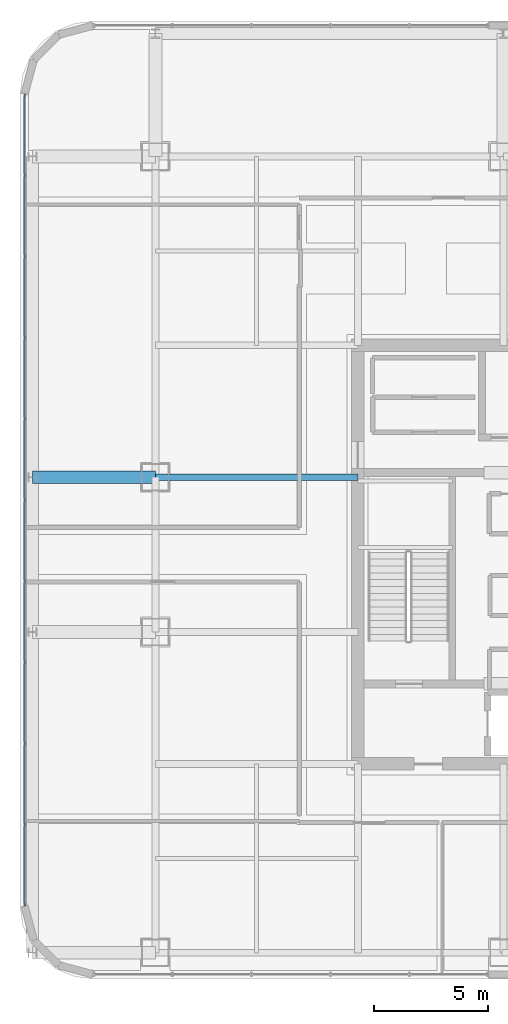
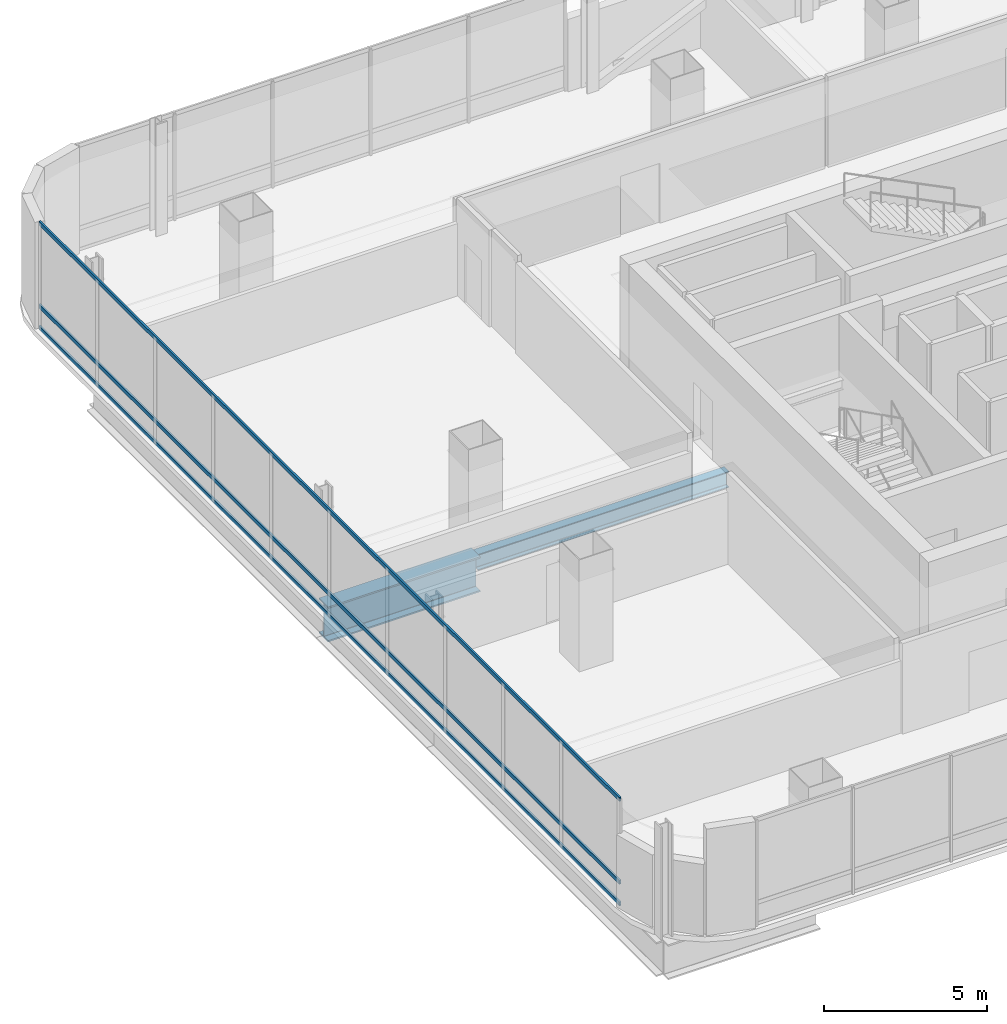
# One storey, part 11 of 43: 3 members, 2 beams, 1 element without a shape of its own.
"""IFC4 building model written with IfcOpenShell, lengths in metres."""

from ifc_helpers import new_model, si_unit, direction, frame, origin, origin_2d, place, context, subcontext, project, spatial, hollow_rectangle, i_section, extrude, material, material_profile, profile_set, type_object, element, aggregate, save


model = new_model("IFC4")

# Units and contexts
model_context = context("Model", 3, precision=1e-05, world=origin(), true_north=direction((0.0, 1.0)))
body_context = subcontext(model_context, "Body", "Model", "MODEL_VIEW")
ifc_project = project(units=[si_unit("LENGTHUNIT", "METRE"), si_unit("AREAUNIT", "SQUARE_METRE"), si_unit("VOLUMEUNIT", "CUBIC_METRE"), si_unit("PLANEANGLEUNIT", "RADIAN"), si_unit("MASSUNIT", "GRAM", prefix="KILO")], contexts=[model_context])

# Site, building, storey
site_placement = place(None, origin())
site = spatial("IfcSite", under=ifc_project, at=site_placement, CompositionType="ELEMENT")
building_placement = place(site_placement, origin())
building = spatial("IfcBuilding", under=site, at=building_placement, Name="Punatoya Terracotta Tower", CompositionType="ELEMENT")
storey_placement = place(building_placement, frame((0.0, 0.0, 300.60009765625)))
storey = spatial("IfcBuildingStorey", under=building, at=storey_placement, Name="L71", CompositionType="ELEMENT", Elevation=300.60009765625)

# Beams
ifc_material_1 = material(Name="Steel S355", Category="steel")
ifc_material_profile_1 = material_profile(ifc_material_1, i_section(OverallWidth=0.300048828125, OverallDepth=0.60009765625, WebThickness=0.015380859375, FlangeThickness=0.030029296875, FilletRadius=0.01806640625, at=origin_2d()))
ifc_profile_set_1 = profile_set([ifc_material_profile_1], Name="Steel S355")
beam_type_1 = type_object("IfcBeamType", Name="BM-PRI-600", PredefinedType="BEAM", material=ifc_profile_set_1)
beam_1_placement = place(storey_placement, frame((-19.10009765625, 3.39990234375, -0.5), z_axis=(1.0, 0.0, 0.0), x_axis=(0.0, 1.0, 0.0)))
element("IfcBeam", 1, at=beam_1_placement, inside=storey, type_object=beam_type_1, Name="BM-L71-PR-WE", PredefinedType="BEAM", context=body_context, shape_type="SweptSolid", body=[
    extrude(i_section(OverallWidth=0.300048828125, OverallDepth=0.60009765625, WebThickness=0.015380859375, FlangeThickness=0.030029296875, FilletRadius=0.01806640625, at=origin_2d()), origin(), (0.0, 0.0, 1.0), 8.900146484375),
])
ifc_material_2 = material(Name="Steel S460", Category="steel")
ifc_material_profile_2 = material_profile(ifc_material_2, i_section(OverallWidth=0.56005859375, OverallDepth=1.320068359375, WebThickness=0.035888671875, FlangeThickness=0.054931640625, FilletRadius=0.01806640625, at=origin_2d()))
ifc_profile_set_2 = profile_set([ifc_material_profile_2], Name="Steel S460")
beam_type_2 = type_object("IfcBeamType", Name="BM-TG-BLK", PredefinedType="BEAM", material=ifc_profile_set_2)
beam_2_placement = place(storey_placement, frame((-24.5, 3.39990234375, -0.860107421875), z_axis=(1.0, 0.0, 0.0), x_axis=(0.0, 1.0, 0.0)))
element("IfcBeam", 2, at=beam_2_placement, inside=storey, type_object=beam_type_2, Name="BM-L71-CANT-W3", PredefinedType="BEAM", context=body_context, shape_type="SweptSolid", body=[
    extrude(i_section(OverallWidth=0.56005859375, OverallDepth=1.320068359375, WebThickness=0.035888671875, FlangeThickness=0.054931640625, FilletRadius=0.01806640625, at=origin_2d()), origin(), (0.0, 0.0, 1.0), 5.39990234375),
])

# Curtain wall, members
ifc_material_3 = material(Name="Aluminium 6063-T6 + Double Low-E Glass", Category="aluminium")
curtain_wall_type = type_object("IfcCurtainWallType", Name="CW-M3", PredefinedType="NOTDEFINED", material=ifc_material_3)
curtain_wall_placement = place(storey_placement, origin())
curtain_wall = element("IfcCurtainWall", 3, at=curtain_wall_placement, inside=storey, type_object=curtain_wall_type, Name="L71 Curtain Wall CW-L71-W13-1", PredefinedType="NOTDEFINED")
ifc_material_4 = material(Name="Aluminium 6063-T6", Category="aluminium")
ifc_material_profile_3 = material_profile(ifc_material_4, hollow_rectangle(XDim=0.068115234375, YDim=0.14990234375, WallThickness=0.00390625, at=origin_2d()))
ifc_profile_set_3 = profile_set([ifc_material_profile_3], Name="Aluminium 6063-T6")
member_type = type_object("IfcMemberType", Name="CW-TRN-TYP", PredefinedType="USERDEFINED", material=ifc_profile_set_3)
member_1_placement = place(storey_placement, frame((-24.85009765625, 20.23681640625, 0.039794921875), z_axis=(0.0, -1.0, 0.0), x_axis=(1.0, 0.0, 0.0)))
member_1 = element("IfcMember", 4, at=member_1_placement, type_object=member_type, Name="CW-L71-W13-1 Transom 1", ObjectType="TRANSOM", PredefinedType="USERDEFINED", context=body_context, shape_type="SweptSolid", body=[
    extrude(hollow_rectangle(XDim=0.068115234375, YDim=0.14990234375, WallThickness=0.00390625, at=origin_2d()), origin(), (0.0, 0.0, 1.0), 35.673828125),
])
member_2_placement = place(storey_placement, frame((-24.85009765625, 20.23681640625, 0.849853515625), z_axis=(0.0, -1.0, 0.0), x_axis=(1.0, 0.0, 0.0)))
member_2 = element("IfcMember", 5, at=member_2_placement, type_object=member_type, Name="CW-L71-W13-1 Transom 2", ObjectType="TRANSOM", PredefinedType="USERDEFINED", context=body_context, shape_type="SweptSolid", body=[
    extrude(hollow_rectangle(XDim=0.068115234375, YDim=0.14990234375, WallThickness=0.00390625, at=origin_2d()), origin(), (0.0, 0.0, 1.0), 35.673828125),
])
member_3_placement = place(storey_placement, frame((-24.85009765625, 20.23681640625, 3.9599609375), z_axis=(0.0, -1.0, 0.0), x_axis=(1.0, 0.0, 0.0)))
member_3 = element("IfcMember", 6, at=member_3_placement, type_object=member_type, Name="CW-L71-W13-1 Transom 3", ObjectType="TRANSOM", PredefinedType="USERDEFINED", context=body_context, shape_type="SweptSolid", body=[
    extrude(hollow_rectangle(XDim=0.068115234375, YDim=0.14990234375, WallThickness=0.00390625, at=origin_2d()), origin(), (0.0, 0.0, 1.0), 35.673828125),
])
aggregate(curtain_wall, [member_1, member_2, member_3])

save(model, "model.ifc")
